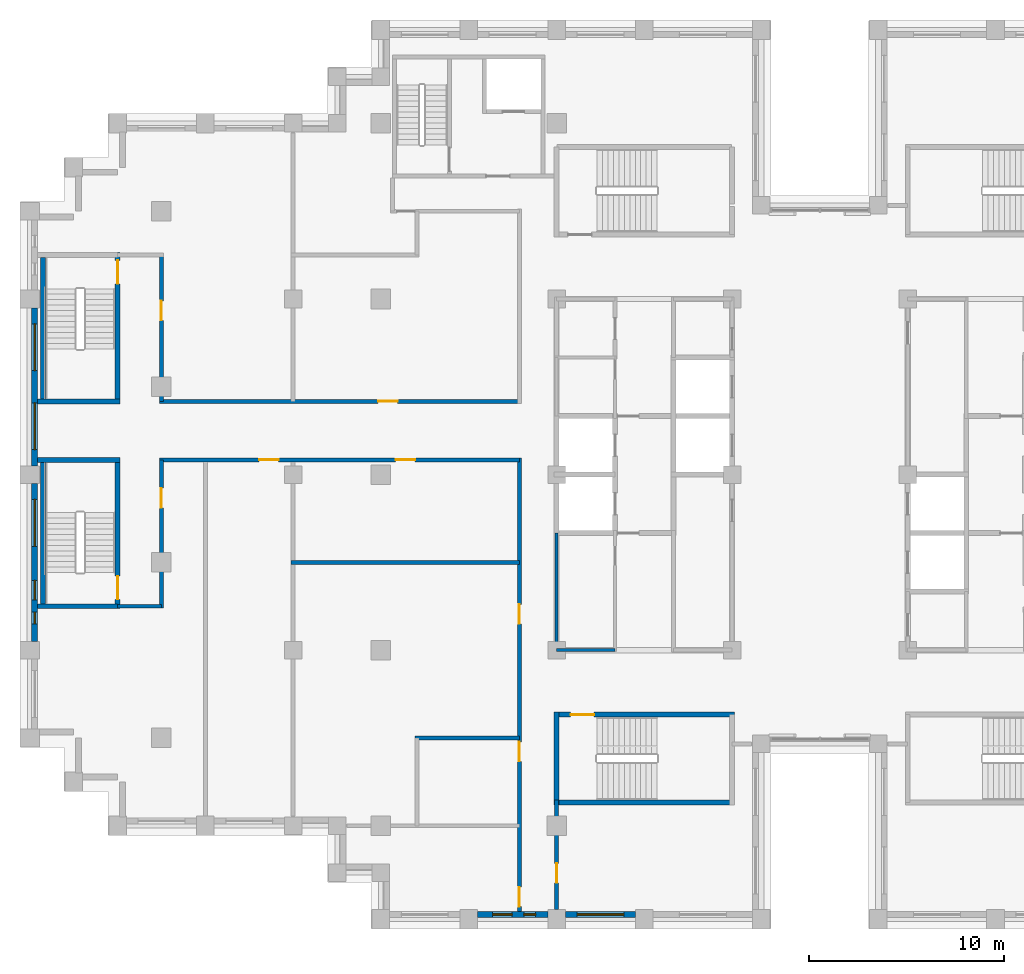
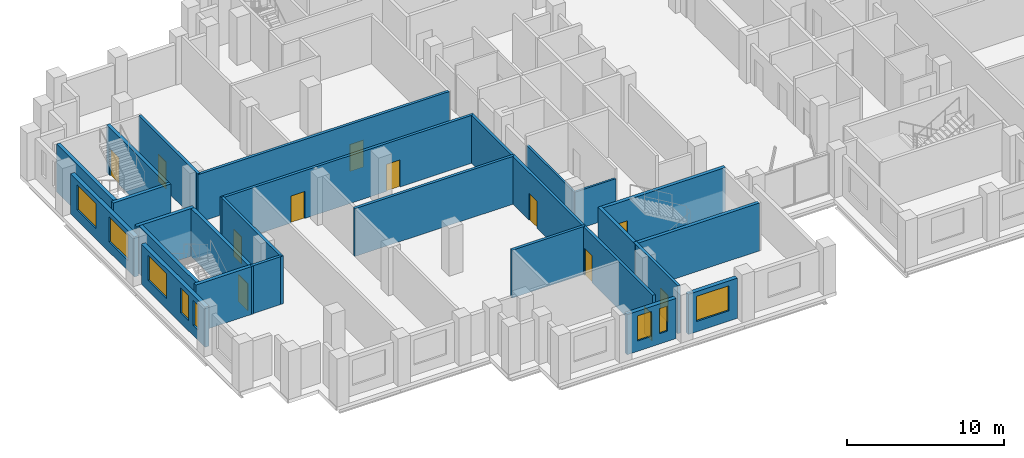
# One storey, part 6 of 15: 25 walls, 12 doors, 8 windows, 20 openings.
"""IFC4 building model written with IfcOpenShell, lengths in metres."""

from ifc_helpers import new_model, si_unit, direction, frame, frame_2d, origin, place, context, subcontext, project, spatial, rectangle, extrude, material, layer, layer_set, type_object, element, fill, save


model = new_model("IFC4")

# Units and contexts
model_context = context("Model", 3, precision=1e-05, world=origin(), true_north=direction((0.0, 1.0)))
body_context = subcontext(model_context, "Body", "Model", "MODEL_VIEW")
ifc_project = project(units=[si_unit("LENGTHUNIT", "METRE"), si_unit("AREAUNIT", "SQUARE_METRE"), si_unit("VOLUMEUNIT", "CUBIC_METRE"), si_unit("PLANEANGLEUNIT", "RADIAN"), si_unit("MASSUNIT", "GRAM", prefix="KILO")], contexts=[model_context])

# Site, building, storey
site_placement = place(None, origin())
site = spatial("IfcSite", under=ifc_project, at=site_placement, CompositionType="ELEMENT")
building_placement = place(site_placement, origin())
building = spatial("IfcBuilding", under=site, at=building_placement, Name="Corbelhall Arena Tower", CompositionType="ELEMENT")
storey_placement = place(building_placement, frame((0.0, 0.0, 228.0)))
storey = spatial("IfcBuildingStorey", under=building, at=storey_placement, Name="L48", CompositionType="ELEMENT", Elevation=228.0)

# Wall, openings, windows
ifc_material_1 = material(Name="Precast concrete C40/50 with granite facing", Category="masonry")
ifc_layer_1 = layer(ifc_material_1, 0.300048828125)
ifc_layer_set_1 = layer_set([ifc_layer_1], Name="EV-IW1 Infill panel 300")
wall_type_1 = type_object("IfcWallType", Name="EV-IW1 Infill panel 300", PredefinedType="SOLIDWALL", material=ifc_layer_set_1)
wall_1_placement = place(storey_placement, frame((-40.25, 8.550048828125, 0.0), z_axis=(0.0, 0.0, 1.0), x_axis=(0.0, -1.0, 0.0)))
wall_1 = element("IfcWall", 1, at=wall_1_placement, inside=storey, type_object=wall_type_1, Name="Infill panel IW1", PredefinedType="SOLIDWALL", context=body_context, shape_type="SweptSolid", body=[
    extrude(rectangle(XDim=8.10009765625, YDim=0.300048828125, at=frame_2d((4.050048828125, 0.0))), origin(), (0.0, 0.0, 1.0), 3.1201171875),
])
opening_1_placement = place(wall_1_placement, frame((0.824951171875, 0.0, 0.800048828125)))
opening_1 = element("IfcOpeningElement", 2, at=opening_1_placement, cuts=wall_1, Name="Opening WN1", PredefinedType="OPENING", context=body_context, shape_type="SweptSolid", body=[
    extrude(rectangle(XDim=2.39990234375, YDim=1.949951171875, at=frame_2d((1.199951171875, 0.97509765625))), frame((0.0, 0.14990234375, 0.0), z_axis=(0.0, -1.0, 0.0), x_axis=(1.0, 0.0, 0.0)), (0.0, 0.0, 1.0), 0.300048828125),
])
opening_2_placement = place(wall_1_placement, frame((4.875, 0.0, 0.800048828125)))
opening_2 = element("IfcOpeningElement", 3, at=opening_2_placement, cuts=wall_1, Name="Opening WN1", PredefinedType="OPENING", context=body_context, shape_type="SweptSolid", body=[
    extrude(rectangle(XDim=2.39990234375, YDim=1.949951171875, at=frame_2d((1.199951171875, 0.97509765625))), frame((0.0, 0.14990234375, 0.0), z_axis=(0.0, -1.0, 0.0), x_axis=(1.0, 0.0, 0.0)), (0.0, 0.0, 1.0), 0.300048828125),
])
ifc_material_2 = material(Name="Aluminium black anodised", Category="aluminium")
window_type_1 = type_object("IfcWindowType", Name="EV-WN1 Office window", PartitioningType="SINGLE_PANEL", PredefinedType="WINDOW", material=ifc_material_2)
window_1_placement = place(opening_1_placement, origin())
window_1 = element("IfcWindow", 4, at=window_1_placement, inside=storey, type_object=window_type_1, Name="Window WN1", OverallHeight=1.949951171875, OverallWidth=2.39990234375, PartitioningType="SINGLE_PANEL", PredefinedType="WINDOW", context=body_context, shape_type="SweptSolid", body=[
    extrude(rectangle(XDim=2.39990234375, YDim=1.949951171875, at=frame_2d((1.199951171875, 0.97509765625))), frame((0.0, 0.030029296875, 0.0), z_axis=(0.0, -1.0, 0.0), x_axis=(1.0, 0.0, 0.0)), (0.0, 0.0, 1.0), 0.06005859375),
])
fill(opening_1, window_1)
window_2_placement = place(opening_2_placement, origin())
window_2 = element("IfcWindow", 5, at=window_2_placement, inside=storey, type_object=window_type_1, Name="Window WN1", OverallHeight=1.949951171875, OverallWidth=2.39990234375, PartitioningType="SINGLE_PANEL", PredefinedType="WINDOW", context=body_context, shape_type="SweptSolid", body=[
    extrude(rectangle(XDim=2.39990234375, YDim=1.949951171875, at=frame_2d((1.199951171875, 0.97509765625))), frame((0.0, 0.030029296875, 0.0), z_axis=(0.0, -1.0, 0.0), x_axis=(1.0, 0.0, 0.0)), (0.0, 0.0, 1.0), 0.06005859375),
])
fill(opening_2, window_2)

wall_2_placement = place(storey_placement, frame((-40.25, -0.449951171875, 0.0), z_axis=(0.0, 0.0, 1.0), x_axis=(0.0, -1.0, 0.0)))
wall_2 = element("IfcWall", 6, at=wall_2_placement, inside=storey, type_object=wall_type_1, Name="Infill panel IW1", PredefinedType="SOLIDWALL", context=body_context, shape_type="SweptSolid", body=[
    extrude(rectangle(XDim=8.10009765625, YDim=0.300048828125, at=frame_2d((4.050048828125, 0.0))), origin(), (0.0, 0.0, 1.0), 3.1201171875),
])
opening_3_placement = place(wall_2_placement, frame((0.824951171875, 0.0, 0.800048828125)))
opening_3 = element("IfcOpeningElement", 7, at=opening_3_placement, cuts=wall_2, Name="Opening WN1", PredefinedType="OPENING", context=body_context, shape_type="SweptSolid", body=[
    extrude(rectangle(XDim=2.39990234375, YDim=1.949951171875, at=frame_2d((1.199951171875, 0.97509765625))), frame((0.0, 0.14990234375, 0.0), z_axis=(0.0, -1.0, 0.0), x_axis=(1.0, 0.0, 0.0)), (0.0, 0.0, 1.0), 0.300048828125),
])
opening_4_placement = place(wall_2_placement, frame((4.97509765625, 0.0, 0.800048828125)))
opening_4 = element("IfcOpeningElement", 8, at=opening_4_placement, cuts=wall_2, Name="Opening WN6", PredefinedType="OPENING", context=body_context, shape_type="SweptSolid", body=[
    extrude(rectangle(XDim=1.0, YDim=1.949951171875, at=frame_2d((0.5, 0.97509765625))), frame((0.0, 0.14990234375, 0.0), z_axis=(0.0, -1.0, 0.0), x_axis=(1.0, 0.0, 0.0)), (0.0, 0.0, 1.0), 0.300048828125),
])
opening_5_placement = place(wall_2_placement, frame((6.60009765625, 0.0, 0.800048828125)))
opening_5 = element("IfcOpeningElement", 9, at=opening_5_placement, cuts=wall_2, Name="Opening WN5", PredefinedType="OPENING", context=body_context, shape_type="SweptSolid", body=[
    extrude(rectangle(XDim=0.60009765625, YDim=1.949951171875, at=frame_2d((0.300048828125, 0.97509765625))), frame((0.0, 0.14990234375, 0.0), z_axis=(0.0, -1.0, 0.0), x_axis=(1.0, 0.0, 0.0)), (0.0, 0.0, 1.0), 0.300048828125),
])
window_3_placement = place(opening_3_placement, origin())
window_3 = element("IfcWindow", 10, at=window_3_placement, inside=storey, type_object=window_type_1, Name="Window WN1", OverallHeight=1.949951171875, OverallWidth=2.39990234375, PartitioningType="SINGLE_PANEL", PredefinedType="WINDOW", context=body_context, shape_type="SweptSolid", body=[
    extrude(rectangle(XDim=2.39990234375, YDim=1.949951171875, at=frame_2d((1.199951171875, 0.97509765625))), frame((0.0, 0.030029296875, 0.0), z_axis=(0.0, -1.0, 0.0), x_axis=(1.0, 0.0, 0.0)), (0.0, 0.0, 1.0), 0.06005859375),
])
fill(opening_3, window_3)
window_type_2 = type_object("IfcWindowType", Name="EV-WN5 Office window 600", PartitioningType="SINGLE_PANEL", PredefinedType="WINDOW", material=ifc_material_2)
window_4_placement = place(opening_5_placement, origin())
window_4 = element("IfcWindow", 11, at=window_4_placement, inside=storey, type_object=window_type_2, Name="Window WN5", OverallHeight=1.949951171875, OverallWidth=0.60009765625, PartitioningType="SINGLE_PANEL", PredefinedType="WINDOW", context=body_context, shape_type="SweptSolid", body=[
    extrude(rectangle(XDim=0.60009765625, YDim=1.949951171875, at=frame_2d((0.300048828125, 0.97509765625))), frame((0.0, 0.030029296875, 0.0), z_axis=(0.0, -1.0, 0.0), x_axis=(1.0, 0.0, 0.0)), (0.0, 0.0, 1.0), 0.06005859375),
])
fill(opening_5, window_4)
window_type_3 = type_object("IfcWindowType", Name="EV-WN6 Office window 1000", PartitioningType="SINGLE_PANEL", PredefinedType="WINDOW", material=ifc_material_2)
window_5_placement = place(opening_4_placement, origin())
window_5 = element("IfcWindow", 12, at=window_5_placement, inside=storey, type_object=window_type_3, Name="Window WN6", OverallHeight=1.949951171875, OverallWidth=1.0, PartitioningType="SINGLE_PANEL", PredefinedType="WINDOW", context=body_context, shape_type="SweptSolid", body=[
    extrude(rectangle(XDim=1.0, YDim=1.949951171875, at=frame_2d((0.5, 0.97509765625))), frame((0.0, 0.030029296875, 0.0), z_axis=(0.0, -1.0, 0.0), x_axis=(1.0, 0.0, 0.0)), (0.0, 0.0, 1.0), 0.06005859375),
])
fill(opening_4, window_5)

wall_3_placement = place(storey_placement, frame((-17.550048828125, -22.550048828125, 0.0), z_axis=(0.0, 0.0, 1.0), x_axis=(1.0, 0.0, 0.0)))
wall_3 = element("IfcWall", 13, at=wall_3_placement, inside=storey, type_object=wall_type_1, Name="Infill panel IW1", PredefinedType="SOLIDWALL", context=body_context, shape_type="SweptSolid", body=[
    extrude(rectangle(XDim=3.60009765625, YDim=0.300048828125, at=frame_2d((1.800048828125, 0.0))), origin(), (0.0, 0.0, 1.0), 3.1201171875),
])
opening_6_placement = place(wall_3_placement, frame((0.77490234375, 0.0, 0.800048828125)))
opening_6 = element("IfcOpeningElement", 14, at=opening_6_placement, cuts=wall_3, Name="Opening WN6", PredefinedType="OPENING", context=body_context, shape_type="SweptSolid", body=[
    extrude(rectangle(XDim=1.0, YDim=1.949951171875, at=frame_2d((0.5, 0.97509765625))), frame((0.0, 0.14990234375, 0.0), z_axis=(0.0, -1.0, 0.0), x_axis=(1.0, 0.0, 0.0)), (0.0, 0.0, 1.0), 0.300048828125),
])
opening_7_placement = place(wall_3_placement, frame((2.375, 0.0, 0.800048828125)))
opening_7 = element("IfcOpeningElement", 15, at=opening_7_placement, cuts=wall_3, Name="Opening WN5", PredefinedType="OPENING", context=body_context, shape_type="SweptSolid", body=[
    extrude(rectangle(XDim=0.60009765625, YDim=1.949951171875, at=frame_2d((0.300048828125, 0.97509765625))), frame((0.0, 0.14990234375, 0.0), z_axis=(0.0, -1.0, 0.0), x_axis=(1.0, 0.0, 0.0)), (0.0, 0.0, 1.0), 0.300048828125),
])
window_6_placement = place(opening_7_placement, origin())
window_6 = element("IfcWindow", 16, at=window_6_placement, inside=storey, type_object=window_type_2, Name="Window WN5", OverallHeight=1.949951171875, OverallWidth=0.60009765625, PartitioningType="SINGLE_PANEL", PredefinedType="WINDOW", context=body_context, shape_type="SweptSolid", body=[
    extrude(rectangle(XDim=0.60009765625, YDim=1.949951171875, at=frame_2d((0.300048828125, 0.97509765625))), frame((0.0, 0.030029296875, 0.0), z_axis=(0.0, -1.0, 0.0), x_axis=(1.0, 0.0, 0.0)), (0.0, 0.0, 1.0), 0.06005859375),
])
fill(opening_7, window_6)
window_7_placement = place(opening_6_placement, origin())
window_7 = element("IfcWindow", 17, at=window_7_placement, inside=storey, type_object=window_type_3, Name="Window WN6", OverallHeight=1.949951171875, OverallWidth=1.0, PartitioningType="SINGLE_PANEL", PredefinedType="WINDOW", context=body_context, shape_type="SweptSolid", body=[
    extrude(rectangle(XDim=1.0, YDim=1.949951171875, at=frame_2d((0.5, 0.97509765625))), frame((0.0, 0.030029296875, 0.0), z_axis=(0.0, -1.0, 0.0), x_axis=(1.0, 0.0, 0.0)), (0.0, 0.0, 1.0), 0.06005859375),
])
fill(opening_6, window_7)

# Wall, opening, window
wall_4_placement = place(storey_placement, frame((-13.050048828125, -22.550048828125, 0.0), z_axis=(0.0, 0.0, 1.0), x_axis=(1.0, 0.0, 0.0)))
wall_4 = element("IfcWall", 18, at=wall_4_placement, inside=storey, type_object=wall_type_1, Name="Infill panel IW1", PredefinedType="SOLIDWALL", context=body_context, shape_type="SweptSolid", body=[
    extrude(rectangle(XDim=3.60009765625, YDim=0.300048828125, at=frame_2d((1.800048828125, 0.0))), origin(), (0.0, 0.0, 1.0), 3.1201171875),
])
opening_8_placement = place(wall_4_placement, frame((0.60009765625, 0.0, 0.800048828125)))
opening_8 = element("IfcOpeningElement", 19, at=opening_8_placement, cuts=wall_4, Name="Opening WN1", PredefinedType="OPENING", context=body_context, shape_type="SweptSolid", body=[
    extrude(rectangle(XDim=2.39990234375, YDim=1.949951171875, at=frame_2d((1.199951171875, 0.97509765625))), frame((0.0, 0.14990234375, 0.0), z_axis=(0.0, -1.0, 0.0), x_axis=(1.0, 0.0, 0.0)), (0.0, 0.0, 1.0), 0.300048828125),
])
window_8_placement = place(opening_8_placement, origin())
window_8 = element("IfcWindow", 20, at=window_8_placement, inside=storey, type_object=window_type_1, Name="Window WN1", OverallHeight=1.949951171875, OverallWidth=2.39990234375, PartitioningType="SINGLE_PANEL", PredefinedType="WINDOW", context=body_context, shape_type="SweptSolid", body=[
    extrude(rectangle(XDim=2.39990234375, YDim=1.949951171875, at=frame_2d((1.199951171875, 0.97509765625))), frame((0.0, 0.030029296875, 0.0), z_axis=(0.0, -1.0, 0.0), x_axis=(1.0, 0.0, 0.0)), (0.0, 0.0, 1.0), 0.06005859375),
])
fill(opening_8, window_8)

# Wall, opening, door
ifc_material_3 = material(Name="Gypsum board on steel stud, acoustic", Category="steel")
ifc_layer_2 = layer(ifc_material_3, 0.199951171875)
ifc_layer_set_2 = layer_set([ifc_layer_2], Name="IN-W-DM200")
wall_type_2 = type_object("IfcWallType", Name="IN-W-DM200", PredefinedType="PARTITIONING", material=ifc_layer_set_2)
wall_5_placement = place(storey_placement, frame((-33.85009765625, 3.75, 0.0), z_axis=(0.0, 0.0, 1.0), x_axis=(1.0, 0.0, 0.0)))
wall_5 = element("IfcWall", 21, at=wall_5_placement, inside=storey, type_object=wall_type_2, Name="Partition 002", PredefinedType="PARTITIONING", context=body_context, shape_type="SweptSolid", body=[
    extrude(rectangle(XDim=18.4501953125, YDim=0.199951171875, at=frame_2d((9.22509765625, 0.0))), origin(), (0.0, 0.0, 1.0), 3.719970703125),
])
opening_9_placement = place(wall_5_placement, frame((11.199951171875, 0.0, 0.0)))
opening_9 = element("IfcOpeningElement", 22, at=opening_9_placement, cuts=wall_5, Name="Opening 15024", PredefinedType="OPENING", context=body_context, shape_type="SweptSolid", body=[
    extrude(rectangle(XDim=1.0, YDim=2.10009765625, at=frame_2d((0.5, 1.050048828125))), frame((0.0, 0.10009765625, 0.0), z_axis=(0.0, -1.0, 0.0), x_axis=(1.0, 0.0, 0.0)), (0.0, 0.0, 1.0), 0.199951171875),
])
ifc_material_4 = material(Name="Steel door set", Category="steel")
door_type_1 = type_object("IfcDoorType", Name="IN-D-SW100", OperationType="NOTDEFINED", PredefinedType="DOOR", material=ifc_material_4)
door_1_placement = place(opening_9_placement, origin())
door_1 = element("IfcDoor", 23, at=door_1_placement, inside=storey, type_object=door_type_1, Name="Door 024", OperationType="SINGLE_SWING_LEFT", OverallHeight=2.10009765625, OverallWidth=1.0, PredefinedType="DOOR", context=body_context, shape_type="SweptSolid", body=[
    extrude(rectangle(XDim=1.0, YDim=2.10009765625, at=frame_2d((0.5, 1.050048828125))), frame((0.0, 0.02490234375, 0.0), z_axis=(0.0, -1.0, 0.0), x_axis=(1.0, 0.0, 0.0)), (0.0, 0.0, 1.0), 0.050048828125),
])
fill(opening_9, door_1)

# Wall
wall_6_placement = place(storey_placement, frame((-33.75, -6.75, 0.0), z_axis=(0.0, 0.0, 1.0), x_axis=(-1.0, 0.0, 0.0)))
element("IfcWall", 24, at=wall_6_placement, inside=storey, type_object=wall_type_2, Name="Partition 003", PredefinedType="PARTITIONING", context=body_context, shape_type="SweptSolid", body=[
    extrude(rectangle(XDim=2.25, YDim=0.199951171875, at=frame_2d((1.125, 0.0))), origin(), (0.0, 0.0, 1.0), 3.719970703125),
])

# Wall, opening, door
wall_7_placement = place(storey_placement, frame((-33.75, 0.75, 0.0), z_axis=(0.0, 0.0, 1.0), x_axis=(0.0, -1.0, 0.0)))
wall_7 = element("IfcWall", 25, at=wall_7_placement, inside=storey, type_object=wall_type_2, Name="Partition 004", PredefinedType="PARTITIONING", context=body_context, shape_type="SweptSolid", body=[
    extrude(rectangle(XDim=7.60009765625, YDim=0.199951171875, at=frame_2d((3.800048828125, 0.0))), origin(), (0.0, 0.0, 1.0), 3.719970703125),
])
opening_10_placement = place(wall_7_placement, frame((1.449951171875, 0.0, 0.0)))
opening_10 = element("IfcOpeningElement", 26, at=opening_10_placement, cuts=wall_7, Name="Opening 15038", PredefinedType="OPENING", context=body_context, shape_type="SweptSolid", body=[
    extrude(rectangle(XDim=1.0, YDim=2.10009765625, at=frame_2d((0.5, 1.050048828125))), frame((0.0, 0.10009765625, 0.0), z_axis=(0.0, -1.0, 0.0), x_axis=(1.0, 0.0, 0.0)), (0.0, 0.0, 1.0), 0.199951171875),
])
door_2_placement = place(opening_10_placement, origin())
door_2 = element("IfcDoor", 27, at=door_2_placement, inside=storey, type_object=door_type_1, Name="Door 038", OperationType="SINGLE_SWING_LEFT", OverallHeight=2.10009765625, OverallWidth=1.0, PredefinedType="DOOR", context=body_context, shape_type="SweptSolid", body=[
    extrude(rectangle(XDim=1.0, YDim=2.10009765625, at=frame_2d((0.5, 1.050048828125))), frame((0.0, 0.02490234375, 0.0), z_axis=(0.0, -1.0, 0.0), x_axis=(1.0, 0.0, 0.0)), (0.0, 0.0, 1.0), 0.050048828125),
])
fill(opening_10, door_2)

wall_8_placement = place(storey_placement, frame((-33.75, 11.25, 0.0), z_axis=(0.0, 0.0, 1.0), x_axis=(0.0, -1.0, 0.0)))
wall_8 = element("IfcWall", 28, at=wall_8_placement, inside=storey, type_object=wall_type_2, Name="Partition 005", PredefinedType="PARTITIONING", context=body_context, shape_type="SweptSolid", body=[
    extrude(rectangle(XDim=7.5, YDim=0.199951171875, at=frame_2d((3.75, 0.0))), origin(), (0.0, 0.0, 1.0), 3.719970703125),
])
opening_11_placement = place(wall_8_placement, frame((2.35009765625, 0.0, 0.0)))
opening_11 = element("IfcOpeningElement", 29, at=opening_11_placement, cuts=wall_8, Name="Opening 15037", PredefinedType="OPENING", context=body_context, shape_type="SweptSolid", body=[
    extrude(rectangle(XDim=1.0, YDim=2.10009765625, at=frame_2d((0.5, 1.050048828125))), frame((0.0, 0.10009765625, 0.0), z_axis=(0.0, -1.0, 0.0), x_axis=(1.0, 0.0, 0.0)), (0.0, 0.0, 1.0), 0.199951171875),
])
door_3_placement = place(opening_11_placement, origin())
door_3 = element("IfcDoor", 30, at=door_3_placement, inside=storey, type_object=door_type_1, Name="Door 037", OperationType="SINGLE_SWING_RIGHT", OverallHeight=2.10009765625, OverallWidth=1.0, PredefinedType="DOOR", context=body_context, shape_type="SweptSolid", body=[
    extrude(rectangle(XDim=1.0, YDim=2.10009765625, at=frame_2d((0.5, 1.050048828125))), frame((0.0, 0.02490234375, 0.0), z_axis=(0.0, -1.0, 0.0), x_axis=(1.0, 0.0, 0.0)), (0.0, 0.0, 1.0), 0.050048828125),
])
fill(opening_11, door_3)

# Wall, openings, doors
wall_9_placement = place(storey_placement, frame((-15.39990234375, 0.75, 0.0), z_axis=(0.0, 0.0, 1.0), x_axis=(-1.0, 0.0, 0.0)))
wall_9 = element("IfcWall", 31, at=wall_9_placement, inside=storey, type_object=wall_type_2, Name="Partition 007", PredefinedType="PARTITIONING", context=body_context, shape_type="SweptSolid", body=[
    extrude(rectangle(XDim=18.4501953125, YDim=0.199951171875, at=frame_2d((9.22509765625, 0.0))), origin(), (0.0, 0.0, 1.0), 3.719970703125),
])
opening_12_placement = place(wall_9_placement, frame((5.35009765625, 0.0, 0.0)))
opening_12 = element("IfcOpeningElement", 32, at=opening_12_placement, cuts=wall_9, Name="Opening 15028", PredefinedType="OPENING", context=body_context, shape_type="SweptSolid", body=[
    extrude(rectangle(XDim=1.0, YDim=2.10009765625, at=frame_2d((0.5, 1.050048828125))), frame((0.0, 0.10009765625, 0.0), z_axis=(0.0, -1.0, 0.0), x_axis=(1.0, 0.0, 0.0)), (0.0, 0.0, 1.0), 0.199951171875),
])
opening_13_placement = place(wall_9_placement, frame((12.35009765625, 0.0, 0.0)))
opening_13 = element("IfcOpeningElement", 33, at=opening_13_placement, cuts=wall_9, Name="Opening 15039", PredefinedType="OPENING", context=body_context, shape_type="SweptSolid", body=[
    extrude(rectangle(XDim=1.0, YDim=2.10009765625, at=frame_2d((0.5, 1.050048828125))), frame((0.0, 0.10009765625, 0.0), z_axis=(0.0, -1.0, 0.0), x_axis=(1.0, 0.0, 0.0)), (0.0, 0.0, 1.0), 0.199951171875),
])
door_4_placement = place(opening_12_placement, origin())
door_4 = element("IfcDoor", 34, at=door_4_placement, inside=storey, type_object=door_type_1, Name="Door 028", OperationType="SINGLE_SWING_LEFT", OverallHeight=2.10009765625, OverallWidth=1.0, PredefinedType="DOOR", context=body_context, shape_type="SweptSolid", body=[
    extrude(rectangle(XDim=1.0, YDim=2.10009765625, at=frame_2d((0.5, 1.050048828125))), frame((0.0, 0.02490234375, 0.0), z_axis=(0.0, -1.0, 0.0), x_axis=(1.0, 0.0, 0.0)), (0.0, 0.0, 1.0), 0.050048828125),
])
fill(opening_12, door_4)
door_5_placement = place(opening_13_placement, origin())
door_5 = element("IfcDoor", 35, at=door_5_placement, inside=storey, type_object=door_type_1, Name="Door 039", OperationType="SINGLE_SWING_RIGHT", OverallHeight=2.10009765625, OverallWidth=1.0, PredefinedType="DOOR", context=body_context, shape_type="SweptSolid", body=[
    extrude(rectangle(XDim=1.0, YDim=2.10009765625, at=frame_2d((0.5, 1.050048828125))), frame((0.0, 0.02490234375, 0.0), z_axis=(0.0, -1.0, 0.0), x_axis=(1.0, 0.0, 0.0)), (0.0, 0.0, 1.0), 0.050048828125),
])
fill(opening_13, door_5)

# Walls
wall_10_placement = place(storey_placement, frame((-27.10009765625, -4.5, 0.0), z_axis=(0.0, 0.0, 1.0), x_axis=(1.0, 0.0, 0.0)))
element("IfcWall", 36, at=wall_10_placement, inside=storey, type_object=wall_type_2, Name="Partition 008", PredefinedType="PARTITIONING", context=body_context, shape_type="SweptSolid", body=[
    extrude(rectangle(XDim=11.7001953125, YDim=0.199951171875, at=frame_2d((5.85009765625, 0.0))), origin(), (0.0, 0.0, 1.0), 3.719970703125),
])
wall_11_placement = place(storey_placement, frame((-20.75, -13.5, 0.0), z_axis=(0.0, 0.0, 1.0), x_axis=(1.0, 0.0, 0.0)))
element("IfcWall", 37, at=wall_11_placement, inside=storey, type_object=wall_type_2, Name="Partition 014", PredefinedType="PARTITIONING", context=body_context, shape_type="SweptSolid", body=[
    extrude(rectangle(XDim=5.35009765625, YDim=0.199951171875, at=frame_2d((2.675048828125, 0.0))), origin(), (0.0, 0.0, 1.0), 3.719970703125),
])

# Wall, openings, doors
wall_12_placement = place(storey_placement, frame((-15.39990234375, -22.39990234375, 0.0), z_axis=(0.0, 0.0, 1.0), x_axis=(0.0, 1.0, 0.0)))
wall_12 = element("IfcWall", 38, at=wall_12_placement, inside=storey, type_object=wall_type_2, Name="Partition 018", PredefinedType="PARTITIONING", context=body_context, shape_type="SweptSolid", body=[
    extrude(rectangle(XDim=23.25, YDim=0.199951171875, at=frame_2d((11.625, 0.0))), origin(), (0.0, 0.0, 1.0), 3.719970703125),
])
opening_14_placement = place(wall_12_placement, frame((0.25, 0.0, 0.0)))
opening_14 = element("IfcOpeningElement", 39, at=opening_14_placement, cuts=wall_12, Name="Opening 15025", PredefinedType="OPENING", context=body_context, shape_type="SweptSolid", body=[
    extrude(rectangle(XDim=1.0, YDim=2.10009765625, at=frame_2d((0.5, 1.050048828125))), frame((0.0, 0.10009765625, 0.0), z_axis=(0.0, -1.0, 0.0), x_axis=(1.0, 0.0, 0.0)), (0.0, 0.0, 1.0), 0.199951171875),
])
opening_15_placement = place(wall_12_placement, frame((7.699951171875, 0.0, 0.0)))
opening_15 = element("IfcOpeningElement", 40, at=opening_15_placement, cuts=wall_12, Name="Opening 15026", PredefinedType="OPENING", context=body_context, shape_type="SweptSolid", body=[
    extrude(rectangle(XDim=1.0, YDim=2.10009765625, at=frame_2d((0.5, 1.050048828125))), frame((0.0, 0.10009765625, 0.0), z_axis=(0.0, -1.0, 0.0), x_axis=(1.0, 0.0, 0.0)), (0.0, 0.0, 1.0), 0.199951171875),
])
opening_16_placement = place(wall_12_placement, frame((14.75, 0.0, 0.0)))
opening_16 = element("IfcOpeningElement", 41, at=opening_16_placement, cuts=wall_12, Name="Opening 15027", PredefinedType="OPENING", context=body_context, shape_type="SweptSolid", body=[
    extrude(rectangle(XDim=1.0, YDim=2.10009765625, at=frame_2d((0.5, 1.050048828125))), frame((0.0, 0.10009765625, 0.0), z_axis=(0.0, -1.0, 0.0), x_axis=(1.0, 0.0, 0.0)), (0.0, 0.0, 1.0), 0.199951171875),
])
door_6_placement = place(opening_14_placement, origin())
door_6 = element("IfcDoor", 42, at=door_6_placement, inside=storey, type_object=door_type_1, Name="Door 025", OperationType="SINGLE_SWING_RIGHT", OverallHeight=2.10009765625, OverallWidth=1.0, PredefinedType="DOOR", context=body_context, shape_type="SweptSolid", body=[
    extrude(rectangle(XDim=1.0, YDim=2.10009765625, at=frame_2d((0.5, 1.050048828125))), frame((0.0, 0.02490234375, 0.0), z_axis=(0.0, -1.0, 0.0), x_axis=(1.0, 0.0, 0.0)), (0.0, 0.0, 1.0), 0.050048828125),
])
fill(opening_14, door_6)
door_7_placement = place(opening_15_placement, origin())
door_7 = element("IfcDoor", 43, at=door_7_placement, inside=storey, type_object=door_type_1, Name="Door 026", OperationType="SINGLE_SWING_LEFT", OverallHeight=2.10009765625, OverallWidth=1.0, PredefinedType="DOOR", context=body_context, shape_type="SweptSolid", body=[
    extrude(rectangle(XDim=1.0, YDim=2.10009765625, at=frame_2d((0.5, 1.050048828125))), frame((0.0, 0.02490234375, 0.0), z_axis=(0.0, -1.0, 0.0), x_axis=(1.0, 0.0, 0.0)), (0.0, 0.0, 1.0), 0.050048828125),
])
fill(opening_15, door_7)
door_8_placement = place(opening_16_placement, origin())
door_8 = element("IfcDoor", 44, at=door_8_placement, inside=storey, type_object=door_type_1, Name="Door 027", OperationType="SINGLE_SWING_RIGHT", OverallHeight=2.10009765625, OverallWidth=1.0, PredefinedType="DOOR", context=body_context, shape_type="SweptSolid", body=[
    extrude(rectangle(XDim=1.0, YDim=2.10009765625, at=frame_2d((0.5, 1.050048828125))), frame((0.0, 0.02490234375, 0.0), z_axis=(0.0, -1.0, 0.0), x_axis=(1.0, 0.0, 0.0)), (0.0, 0.0, 1.0), 0.050048828125),
])
fill(opening_16, door_8)

# Wall, opening, door
wall_13_placement = place(storey_placement, frame((-13.5, -16.675048828125, 0.0), z_axis=(0.0, 0.0, 1.0), x_axis=(0.0, -1.0, 0.0)))
wall_13 = element("IfcWall", 45, at=wall_13_placement, inside=storey, type_object=wall_type_2, Name="Partition 020", PredefinedType="PARTITIONING", context=body_context, shape_type="SweptSolid", body=[
    extrude(rectangle(XDim=5.625, YDim=0.199951171875, at=frame_2d((2.8125, 0.0))), origin(), (0.0, 0.0, 1.0), 3.719970703125),
])
opening_17_placement = place(wall_13_placement, frame((3.25, 0.0, 0.0)))
opening_17 = element("IfcOpeningElement", 46, at=opening_17_placement, cuts=wall_13, Name="Opening 15022", PredefinedType="OPENING", context=body_context, shape_type="SweptSolid", body=[
    extrude(rectangle(XDim=1.0, YDim=2.10009765625, at=frame_2d((0.5, 1.050048828125))), frame((0.0, 0.10009765625, 0.0), z_axis=(0.0, -1.0, 0.0), x_axis=(1.0, 0.0, 0.0)), (0.0, 0.0, 1.0), 0.199951171875),
])
door_9_placement = place(opening_17_placement, origin())
door_9 = element("IfcDoor", 47, at=door_9_placement, inside=storey, type_object=door_type_1, Name="Door 022", OperationType="SINGLE_SWING_LEFT", OverallHeight=2.10009765625, OverallWidth=1.0, PredefinedType="DOOR", context=body_context, shape_type="SweptSolid", body=[
    extrude(rectangle(XDim=1.0, YDim=2.10009765625, at=frame_2d((0.5, 1.050048828125))), frame((0.0, 0.02490234375, 0.0), z_axis=(0.0, -1.0, 0.0), x_axis=(1.0, 0.0, 0.0)), (0.0, 0.0, 1.0), 0.050048828125),
])
fill(opening_17, door_9)

# Walls
ifc_material_5 = material(Name="Concrete C40/50", Category="concrete")
ifc_layer_3 = layer(ifc_material_5, 0.25)
ifc_layer_set_3 = layer_set([ifc_layer_3], Name="IN-W-ST250")
wall_type_3 = type_object("IfcWallType", Name="IN-W-ST250", PredefinedType="SOLIDWALL", material=ifc_layer_set_3)
wall_14_placement = place(storey_placement, frame((-40.10009765625, 3.75, 0.0), z_axis=(0.0, 0.0, 1.0), x_axis=(1.0, 0.0, 0.0)))
element("IfcWall", 48, at=wall_14_placement, inside=storey, type_object=wall_type_3, Name="Shaft wall 073", PredefinedType="SOLIDWALL", context=body_context, shape_type="SweptSolid", body=[
    extrude(rectangle(XDim=4.22509765625, YDim=0.25, at=frame_2d((2.112548828125, 0.0))), origin(), (0.0, 0.0, 1.0), 3.719970703125),
])
wall_15_placement = place(storey_placement, frame((-36.0, -6.75, 0.0), z_axis=(0.0, 0.0, 1.0), x_axis=(-1.0, 0.0, 0.0)))
element("IfcWall", 49, at=wall_15_placement, inside=storey, type_object=wall_type_3, Name="Shaft wall 075", PredefinedType="SOLIDWALL", context=body_context, shape_type="SweptSolid", body=[
    extrude(rectangle(XDim=4.10009765625, YDim=0.25, at=frame_2d((2.050048828125, 0.0))), origin(), (0.0, 0.0, 1.0), 3.719970703125),
])

# Wall, opening, door
wall_16_placement = place(storey_placement, frame((-36.0, 0.75, 0.0), z_axis=(0.0, 0.0, 1.0), x_axis=(0.0, -1.0, 0.0)))
wall_16 = element("IfcWall", 50, at=wall_16_placement, inside=storey, type_object=wall_type_3, Name="Shaft wall 076", PredefinedType="SOLIDWALL", context=body_context, shape_type="SweptSolid", body=[
    extrude(rectangle(XDim=7.625, YDim=0.25, at=frame_2d((3.8125, 0.0))), origin(), (0.0, 0.0, 1.0), 3.719970703125),
])
opening_18_placement = place(wall_16_placement, frame((5.949951171875, 0.0, 0.0)))
opening_18 = element("IfcOpeningElement", 51, at=opening_18_placement, cuts=wall_16, Name="Opening 15020", PredefinedType="OPENING", context=body_context, shape_type="SweptSolid", body=[
    extrude(rectangle(XDim=1.199951171875, YDim=2.10009765625, at=frame_2d((0.60009765625, 1.050048828125))), frame((0.0, 0.125, 0.0), z_axis=(0.0, -1.0, 0.0), x_axis=(1.0, 0.0, 0.0)), (0.0, 0.0, 1.0), 0.25),
])
door_type_2 = type_object("IfcDoorType", Name="IN-D-ST120", OperationType="NOTDEFINED", PredefinedType="DOOR", material=ifc_material_4)
door_10_placement = place(opening_18_placement, origin())
door_10 = element("IfcDoor", 52, at=door_10_placement, inside=storey, type_object=door_type_2, Name="Door 020", OperationType="SINGLE_SWING_LEFT", OverallHeight=2.10009765625, OverallWidth=1.199951171875, PredefinedType="DOOR", context=body_context, shape_type="SweptSolid", body=[
    extrude(rectangle(XDim=1.199951171875, YDim=2.10009765625, at=frame_2d((0.60009765625, 1.050048828125))), frame((0.0, 0.02490234375, 0.0), z_axis=(0.0, -1.0, 0.0), x_axis=(1.0, 0.0, 0.0)), (0.0, 0.0, 1.0), 0.050048828125),
])
fill(opening_18, door_10)

wall_17_placement = place(storey_placement, frame((-36.0, 11.375, 0.0), z_axis=(0.0, 0.0, 1.0), x_axis=(0.0, -1.0, 0.0)))
wall_17 = element("IfcWall", 53, at=wall_17_placement, inside=storey, type_object=wall_type_3, Name="Shaft wall 077", PredefinedType="SOLIDWALL", context=body_context, shape_type="SweptSolid", body=[
    extrude(rectangle(XDim=7.625, YDim=0.25, at=frame_2d((3.8125, 0.0))), origin(), (0.0, 0.0, 1.0), 3.719970703125),
])
opening_19_placement = place(wall_17_placement, frame((0.39990234375, 0.0, 0.0)))
opening_19 = element("IfcOpeningElement", 54, at=opening_19_placement, cuts=wall_17, Name="Opening 15019", PredefinedType="OPENING", context=body_context, shape_type="SweptSolid", body=[
    extrude(rectangle(XDim=1.199951171875, YDim=2.10009765625, at=frame_2d((0.60009765625, 1.050048828125))), frame((0.0, 0.125, 0.0), z_axis=(0.0, -1.0, 0.0), x_axis=(1.0, 0.0, 0.0)), (0.0, 0.0, 1.0), 0.25),
])
door_11_placement = place(opening_19_placement, origin())
door_11 = element("IfcDoor", 55, at=door_11_placement, inside=storey, type_object=door_type_2, Name="Door 019", OperationType="SINGLE_SWING_RIGHT", OverallHeight=2.10009765625, OverallWidth=1.199951171875, PredefinedType="DOOR", context=body_context, shape_type="SweptSolid", body=[
    extrude(rectangle(XDim=1.199951171875, YDim=2.10009765625, at=frame_2d((0.60009765625, 1.050048828125))), frame((0.0, 0.02490234375, 0.0), z_axis=(0.0, -1.0, 0.0), x_axis=(1.0, 0.0, 0.0)), (0.0, 0.0, 1.0), 0.050048828125),
])
fill(opening_19, door_11)

# Walls
wall_18_placement = place(storey_placement, frame((-35.875, 0.75, 0.0), z_axis=(0.0, 0.0, 1.0), x_axis=(-1.0, 0.0, 0.0)))
element("IfcWall", 56, at=wall_18_placement, inside=storey, type_object=wall_type_3, Name="Shaft wall 078", PredefinedType="SOLIDWALL", context=body_context, shape_type="SweptSolid", body=[
    extrude(rectangle(XDim=4.22509765625, YDim=0.25, at=frame_2d((2.112548828125, 0.0))), origin(), (0.0, 0.0, 1.0), 3.719970703125),
])
wall_19_placement = place(storey_placement, frame((-13.5, -12.175048828125, 0.0), z_axis=(0.0, 0.0, 1.0), x_axis=(0.0, -1.0, 0.0)))
element("IfcWall", 57, at=wall_19_placement, inside=storey, type_object=wall_type_3, Name="Shaft wall 079", PredefinedType="SOLIDWALL", context=body_context, shape_type="SweptSolid", body=[
    extrude(rectangle(XDim=4.75, YDim=0.25, at=frame_2d((2.375, 0.0))), origin(), (0.0, 0.0, 1.0), 3.719970703125),
])
wall_20_placement = place(storey_placement, frame((-4.5, -16.800048828125, 0.0), z_axis=(0.0, 0.0, 1.0), x_axis=(-1.0, 0.0, 0.0)))
element("IfcWall", 58, at=wall_20_placement, inside=storey, type_object=wall_type_3, Name="Shaft wall 083", PredefinedType="SOLIDWALL", context=body_context, shape_type="SweptSolid", body=[
    extrude(rectangle(XDim=9.0, YDim=0.25, at=frame_2d((4.5, 0.0))), origin(), (0.0, 0.0, 1.0), 3.719970703125),
])

# Wall, opening, door
wall_21_placement = place(storey_placement, frame((-4.375, -12.300048828125, 0.0), z_axis=(0.0, 0.0, 1.0), x_axis=(-1.0, 0.0, 0.0)))
wall_21 = element("IfcWall", 59, at=wall_21_placement, inside=storey, type_object=wall_type_3, Name="Shaft wall 087", PredefinedType="SOLIDWALL", context=body_context, shape_type="SweptSolid", body=[
    extrude(rectangle(XDim=9.125, YDim=0.25, at=frame_2d((4.5625, 0.0))), origin(), (0.0, 0.0, 1.0), 3.719970703125),
])
opening_20_placement = place(wall_21_placement, frame((7.199951171875, 0.0, 0.0)))
opening_20 = element("IfcOpeningElement", 60, at=opening_20_placement, cuts=wall_21, Name="Opening 15016", PredefinedType="OPENING", context=body_context, shape_type="SweptSolid", body=[
    extrude(rectangle(XDim=1.199951171875, YDim=2.10009765625, at=frame_2d((0.60009765625, 1.050048828125))), frame((0.0, 0.125, 0.0), z_axis=(0.0, -1.0, 0.0), x_axis=(1.0, 0.0, 0.0)), (0.0, 0.0, 1.0), 0.25),
])
door_12_placement = place(opening_20_placement, origin())
door_12 = element("IfcDoor", 61, at=door_12_placement, inside=storey, type_object=door_type_2, Name="Door 016", OperationType="SINGLE_SWING_LEFT", OverallHeight=2.10009765625, OverallWidth=1.199951171875, PredefinedType="DOOR", context=body_context, shape_type="SweptSolid", body=[
    extrude(rectangle(XDim=1.199951171875, YDim=2.10009765625, at=frame_2d((0.60009765625, 1.050048828125))), frame((0.0, 0.02490234375, 0.0), z_axis=(0.0, -1.0, 0.0), x_axis=(1.0, 0.0, 0.0)), (0.0, 0.0, 1.0), 0.050048828125),
])
fill(opening_20, door_12)

# Walls
for number, where, z_axis, x_axis, name in (
    (62, (-39.824951171875, 3.875, 0.0), (0.0, 0.0, 1.0), (0.0, 1.0, 0.0), "Shaft wall SC1 facade side"),
    (63, (-39.824951171875, -6.625, 0.0), (0.0, 0.0, 1.0), (0.0, 1.0, 0.0), "Shaft wall SC2 facade side"),
):
    element("IfcWall", number, at=place(storey_placement, frame(where, z_axis=z_axis, x_axis=x_axis)), inside=storey, type_object=wall_type_3, Name=name, PredefinedType="SOLIDWALL", context=body_context, shape_type="SweptSolid", body=[
        extrude(rectangle(XDim=7.25, YDim=0.25, at=frame_2d((3.625, 0.0))), origin(), (0.0, 0.0, 1.0), 3.719970703125),
    ])
ifc_material_6 = material(Name="Gypsum board on steel stud, moisture resistant", Category="steel")
ifc_layer_4 = layer(ifc_material_6, 0.14990234375)
ifc_layer_set_4 = layer_set([ifc_layer_4], Name="IN-W-WC150 under beam 762 mm")
wall_type_4 = type_object("IfcWallType", Name="IN-W-WC150 under beam 762 mm", PredefinedType="PARTITIONING", material=ifc_layer_set_4)
wall_22_placement = place(storey_placement, frame((-13.5, -9.074951171875, 0.0), z_axis=(0.0, 0.0, 1.0), x_axis=(0.0, 1.0, 0.0)))
element("IfcWall", 64, at=wall_22_placement, inside=storey, type_object=wall_type_4, Name="Partition 097", PredefinedType="PARTITIONING", context=body_context, shape_type="SweptSolid", body=[
    extrude(rectangle(XDim=6.074951171875, YDim=0.14990234375, at=frame_2d((3.03759765625, 0.0))), origin(), (0.0, 0.0, 1.0), 2.9580078125),
])
wall_23_placement = place(storey_placement, frame((-10.5, -9.0, 0.0), z_axis=(0.0, 0.0, 1.0), x_axis=(-1.0, 0.0, 0.0)))
element("IfcWall", 65, at=wall_23_placement, inside=storey, type_object=wall_type_4, Name="Partition 100", PredefinedType="PARTITIONING", context=body_context, shape_type="SweptSolid", body=[
    extrude(rectangle(XDim=3.0, YDim=0.14990234375, at=frame_2d((1.5, 0.0))), origin(), (0.0, 0.0, 1.0), 2.9580078125),
])

save(model, "model.ifc")
